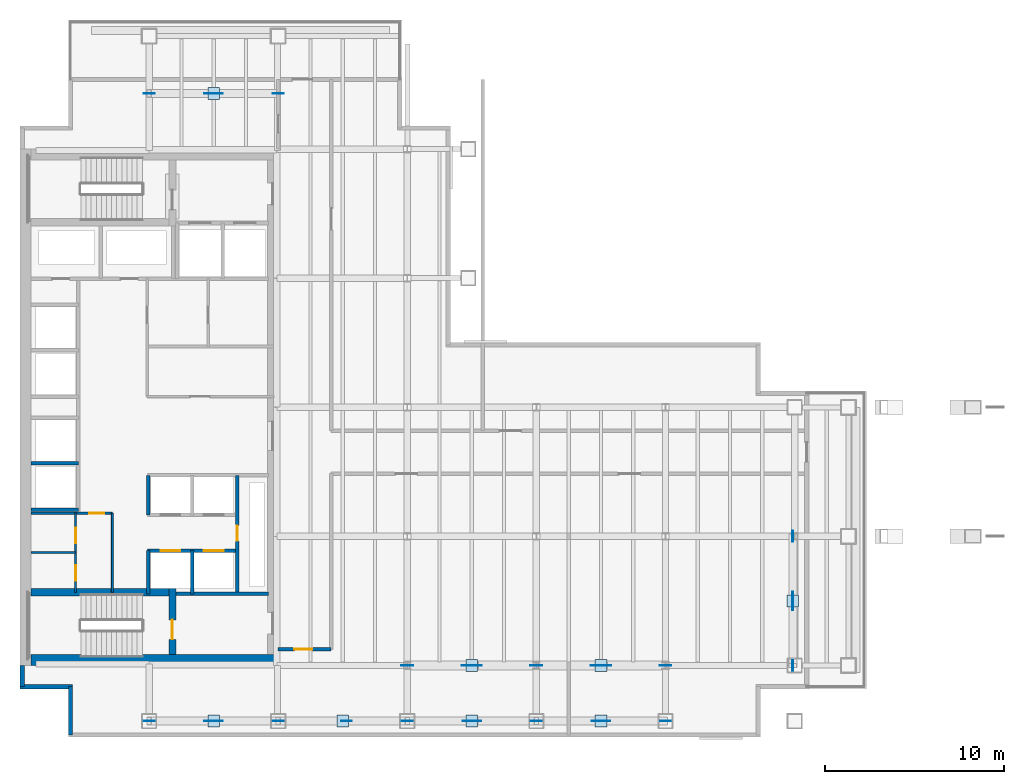
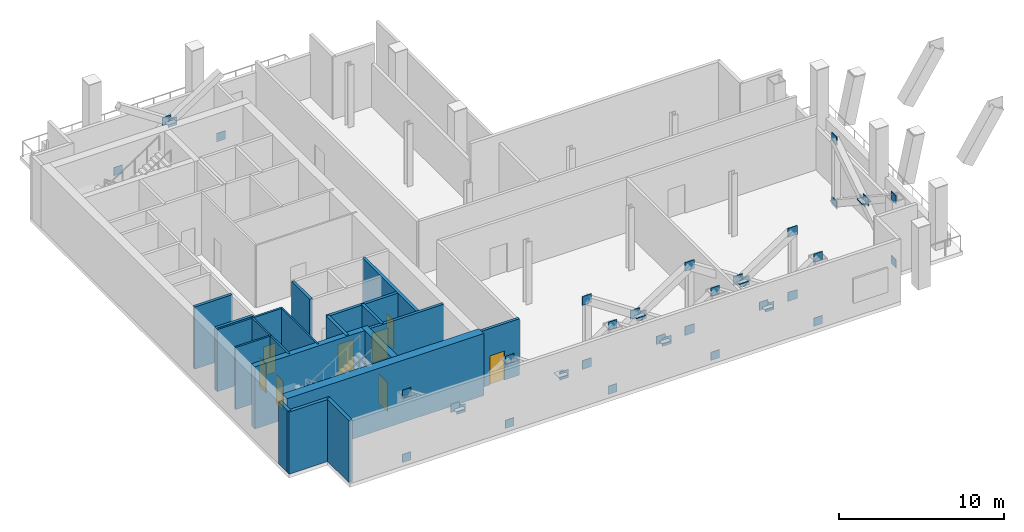
# One storey, part 4 of 8: 45 plates, 19 walls, 8 doors, 8 openings.
"""IFC4 building model written with IfcOpenShell, lengths in metres."""

from ifc_helpers import new_model, si_unit, direction, frame, frame_2d, origin, origin_2d, place, context, subcontext, project, spatial, rectangle, extrude, material, layer, layer_set, type_object, element, fill, save


model = new_model("IFC4")

# Units and contexts
model_context = context("Model", 3, precision=1e-05, world=origin(), true_north=direction((0.0, 1.0)))
body_context = subcontext(model_context, "Body", "Model", "MODEL_VIEW")
ifc_project = project(units=[si_unit("LENGTHUNIT", "METRE"), si_unit("AREAUNIT", "SQUARE_METRE"), si_unit("VOLUMEUNIT", "CUBIC_METRE"), si_unit("PLANEANGLEUNIT", "RADIAN"), si_unit("MASSUNIT", "GRAM", prefix="KILO")], contexts=[model_context])

# Site, building, storey
site_placement = place(None, origin())
site = spatial("IfcSite", under=ifc_project, at=site_placement, CompositionType="ELEMENT")
building_placement = place(site_placement, origin())
building = spatial("IfcBuilding", under=site, at=building_placement, Name="Cobrela Telecom Tower", CompositionType="ELEMENT")
storey_placement = place(building_placement, frame((0.0, 0.0, 163.800048828125)))
storey = spatial("IfcBuildingStorey", under=building, at=storey_placement, Name="L41", CompositionType="ELEMENT", Elevation=163.800048828125)

# Plates
ifc_material_1 = material(Name="Steel ASTM A572 Grade 50", Category="steel")
ifc_layer_1 = layer(ifc_material_1, 0.0419921875)
ifc_layer_set_1 = layer_set([ifc_layer_1], Name="Steel ASTM A572 Grade 50")
plate_type_1 = type_object("IfcPlateType", Name="PLT-NODE-ND6", PredefinedType="USERDEFINED", material=ifc_layer_set_1)
for number, where, z_axis, x_axis, name in (
    (1, (21.60009765625, 7.199951171875, -0.47021484375), (0.0, 0.0, 1.0), (1.0, 0.0, 0.0), "Steel node plate PLT-MBR-OUT-L41-01-A-0"),
    (2, (28.800048828125, 7.199951171875, 4.27001953125), (0.0, 0.0, 1.0), (1.0, 0.0, 0.0), "Steel node plate PLT-MBR-OUT-L41-01-A-1"),
    (3, (28.800048828125, 7.199951171875, -0.47021484375), (0.0, 0.0, 1.0), (-1.0, 0.0, 0.0), "Steel node plate PLT-MBR-OUT-L41-01-B1-0"),
    (4, (25.433837890625, 7.199951171875, 1.74609375), (0.0, 0.0, 1.0), (-1.0, 0.0, 0.0), "Steel node plate PLT-MBR-OUT-L41-01-B1-1"),
    (5, (24.966064453125, 7.199951171875, 2.05419921875), (0.0, 0.0, 1.0), (-1.0, 0.0, 0.0), "Steel node plate PLT-MBR-OUT-L41-01-B2-0"),
    (6, (21.60009765625, 7.199951171875, 4.27001953125), (0.0, 0.0, 1.0), (-1.0, 0.0, 0.0), "Steel node plate PLT-MBR-OUT-L41-01-B2-1"),
):
    element("IfcPlate", number, at=place(storey_placement, frame(where, z_axis=z_axis, x_axis=x_axis)), inside=storey, type_object=plate_type_1, Name=name, ObjectType="GUSSET PLATE", PredefinedType="USERDEFINED", context=body_context, shape_type="SweptSolid", body=[
        extrude(rectangle(XDim=0.659912109375, YDim=0.044921875, at=origin_2d()), origin(), (0.0, 0.0, 1.0), 0.659912109375),
    ])
plate_1_placement = place(storey_placement, frame((25.199951171875, 7.199951171875, 2.20751953125), z_axis=(0.0, 0.0, 1.0), x_axis=(1.0, 0.0, 0.0)))
element("IfcPlate", 7, at=plate_1_placement, inside=storey, type_object=plate_type_1, Name="L41 Outrigger Truss Brace 01 Central X-Crossing Gusset Plate", ObjectType="GUSSET PLATE", PredefinedType="USERDEFINED", context=body_context, shape_type="SweptSolid", body=[
    extrude(rectangle(XDim=0.64990234375, YDim=0.64990234375, at=origin_2d()), origin(), (0.0, 0.0, 1.0), 0.044921875),
])
for number, where, z_axis, x_axis, name in (
    (8, (36.0, 7.199951171875, 4.27001953125), (0.0, 0.0, 1.0), (1.0, 0.0, 0.0), "Steel node plate PLT-MBR-OUT-L41-02-A-1"),
    (9, (36.0, 7.199951171875, -0.47021484375), (0.0, 0.0, 1.0), (-1.0, 0.0, 0.0), "Steel node plate PLT-MBR-OUT-L41-02-B1-0"),
    (10, (32.6337890625, 7.199951171875, 1.74609375), (0.0, 0.0, 1.0), (-1.0, 0.0, 0.0), "Steel node plate PLT-MBR-OUT-L41-02-B1-1"),
    (11, (32.166015625, 7.199951171875, 2.05419921875), (0.0, 0.0, 1.0), (-1.0, 0.0, 0.0), "Steel node plate PLT-MBR-OUT-L41-02-B2-0"),
):
    element("IfcPlate", number, at=place(storey_placement, frame(where, z_axis=z_axis, x_axis=x_axis)), inside=storey, type_object=plate_type_1, Name=name, ObjectType="GUSSET PLATE", PredefinedType="USERDEFINED", context=body_context, shape_type="SweptSolid", body=[
        extrude(rectangle(XDim=0.659912109375, YDim=0.044921875, at=origin_2d()), origin(), (0.0, 0.0, 1.0), 0.659912109375),
    ])
plate_2_placement = place(storey_placement, frame((32.39990234375, 7.199951171875, 2.20751953125), z_axis=(0.0, 0.0, 1.0), x_axis=(1.0, 0.0, 0.0)))
element("IfcPlate", 12, at=plate_2_placement, inside=storey, type_object=plate_type_1, Name="L41 Outrigger Truss Brace 02 Central X-Crossing Gusset Plate", ObjectType="GUSSET PLATE", PredefinedType="USERDEFINED", context=body_context, shape_type="SweptSolid", body=[
    extrude(rectangle(XDim=0.64990234375, YDim=0.64990234375, at=origin_2d()), origin(), (0.0, 0.0, 1.0), 0.044921875),
])
ifc_layer_2 = layer(ifc_material_1, 0.0439453125)
ifc_layer_set_2 = layer_set([ifc_layer_2], Name="Steel ASTM A572 Grade 50")
plate_type_2 = type_object("IfcPlateType", Name="PLT-NODE-ND7", PredefinedType="USERDEFINED", material=ifc_layer_set_2)
for number, where, z_axis, x_axis, name in (
    (13, (7.199951171875, 4.10009765625, -0.4453125), (0.0, 0.0, 1.0), (1.0, 0.0, 0.0), "Steel node plate PLT-MBR-BELT-L41-S03-A-0"),
    (14, (14.39990234375, 4.10009765625, 4.294921875), (0.0, 0.0, 1.0), (1.0, 0.0, 0.0), "Steel node plate PLT-MBR-BELT-L41-S03-A-1"),
    (15, (14.39990234375, 4.10009765625, -0.4453125), (0.0, 0.0, 1.0), (-1.0, 0.0, 0.0), "Steel node plate PLT-MBR-BELT-L41-S03-B1-0"),
    (16, (11.010498046875, 4.10009765625, 1.7861328125), (0.0, 0.0, 1.0), (-1.0, 0.0, 0.0), "Steel node plate PLT-MBR-BELT-L41-S03-B1-1"),
    (17, (10.589599609375, 4.10009765625, 2.0634765625), (0.0, 0.0, 1.0), (-1.0, 0.0, 0.0), "Steel node plate PLT-MBR-BELT-L41-S03-B2-0"),
    (18, (7.199951171875, 4.10009765625, 4.294921875), (0.0, 0.0, 1.0), (-1.0, 0.0, 0.0), "Steel node plate PLT-MBR-BELT-L41-S03-B2-1"),
):
    element("IfcPlate", number, at=place(storey_placement, frame(where, z_axis=z_axis, x_axis=x_axis)), inside=storey, type_object=plate_type_2, Name=name, ObjectType="GUSSET PLATE", PredefinedType="USERDEFINED", context=body_context, shape_type="SweptSolid", body=[
        extrude(rectangle(XDim=0.610107421875, YDim=0.044921875, at=origin_2d()), origin(), (0.0, 0.0, 1.0), 0.610107421875),
    ])
plate_3_placement = place(storey_placement, frame((10.800048828125, 4.10009765625, 2.20751953125), z_axis=(0.0, 0.0, 1.0), x_axis=(1.0, 0.0, 0.0)))
element("IfcPlate", 19, at=plate_3_placement, inside=storey, type_object=plate_type_2, Name="L41 South Perimeter Belt Truss Brace 03 Central X-Crossing Gusset Plate", ObjectType="GUSSET PLATE", PredefinedType="USERDEFINED", context=body_context, shape_type="SweptSolid", body=[
    extrude(rectangle(XDim=0.64990234375, YDim=0.64990234375, at=origin_2d()), origin(), (0.0, 0.0, 1.0), 0.044921875),
])
for number, where, z_axis, x_axis, name in (
    (20, (21.60009765625, 4.10009765625, 4.294921875), (0.0, 0.0, 1.0), (1.0, 0.0, 0.0), "Steel node plate PLT-MBR-BELT-L41-S04-A-1"),
    (21, (21.60009765625, 4.10009765625, -0.4453125), (0.0, 0.0, 1.0), (-1.0, 0.0, 0.0), "Steel node plate PLT-MBR-BELT-L41-S04-B1-0"),
    (22, (18.21044921875, 4.10009765625, 1.7861328125), (0.0, 0.0, 1.0), (-1.0, 0.0, 0.0), "Steel node plate PLT-MBR-BELT-L41-S04-B1-1"),
):
    element("IfcPlate", number, at=place(storey_placement, frame(where, z_axis=z_axis, x_axis=x_axis)), inside=storey, type_object=plate_type_2, Name=name, ObjectType="GUSSET PLATE", PredefinedType="USERDEFINED", context=body_context, shape_type="SweptSolid", body=[
        extrude(rectangle(XDim=0.610107421875, YDim=0.044921875, at=origin_2d()), origin(), (0.0, 0.0, 1.0), 0.610107421875),
    ])
plate_4_placement = place(storey_placement, frame((18.0, 4.10009765625, 2.20751953125), z_axis=(0.0, 0.0, 1.0), x_axis=(1.0, 0.0, 0.0)))
element("IfcPlate", 23, at=plate_4_placement, inside=storey, type_object=plate_type_2, Name="L41 South Perimeter Belt Truss Brace 04 Central X-Crossing Gusset Plate", ObjectType="GUSSET PLATE", PredefinedType="USERDEFINED", context=body_context, shape_type="SweptSolid", body=[
    extrude(rectangle(XDim=0.64990234375, YDim=0.64990234375, at=origin_2d()), origin(), (0.0, 0.0, 1.0), 0.044921875),
])
for number, where, z_axis, x_axis, name in (
    (24, (28.800048828125, 4.10009765625, 4.294921875), (0.0, 0.0, 1.0), (1.0, 0.0, 0.0), "Steel node plate PLT-MBR-BELT-L41-S05-A-1"),
    (25, (28.800048828125, 4.10009765625, -0.4453125), (0.0, 0.0, 1.0), (-1.0, 0.0, 0.0), "Steel node plate PLT-MBR-BELT-L41-S05-B1-0"),
    (26, (25.410400390625, 4.10009765625, 1.7861328125), (0.0, 0.0, 1.0), (-1.0, 0.0, 0.0), "Steel node plate PLT-MBR-BELT-L41-S05-B1-1"),
    (27, (24.989501953125, 4.10009765625, 2.0634765625), (0.0, 0.0, 1.0), (-1.0, 0.0, 0.0), "Steel node plate PLT-MBR-BELT-L41-S05-B2-0"),
):
    element("IfcPlate", number, at=place(storey_placement, frame(where, z_axis=z_axis, x_axis=x_axis)), inside=storey, type_object=plate_type_2, Name=name, ObjectType="GUSSET PLATE", PredefinedType="USERDEFINED", context=body_context, shape_type="SweptSolid", body=[
        extrude(rectangle(XDim=0.610107421875, YDim=0.044921875, at=origin_2d()), origin(), (0.0, 0.0, 1.0), 0.610107421875),
    ])
plate_5_placement = place(storey_placement, frame((25.199951171875, 4.10009765625, 2.20751953125), z_axis=(0.0, 0.0, 1.0), x_axis=(1.0, 0.0, 0.0)))
element("IfcPlate", 28, at=plate_5_placement, inside=storey, type_object=plate_type_2, Name="L41 South Perimeter Belt Truss Brace 05 Central X-Crossing Gusset Plate", ObjectType="GUSSET PLATE", PredefinedType="USERDEFINED", context=body_context, shape_type="SweptSolid", body=[
    extrude(rectangle(XDim=0.64990234375, YDim=0.64990234375, at=origin_2d()), origin(), (0.0, 0.0, 1.0), 0.044921875),
])
for number, where, z_axis, x_axis, name in (
    (29, (36.0, 4.10009765625, 4.294921875), (0.0, 0.0, 1.0), (1.0, 0.0, 0.0), "Steel node plate PLT-MBR-BELT-L41-S06-A-1"),
    (30, (36.0, 4.10009765625, -0.4453125), (0.0, 0.0, 1.0), (-1.0, 0.0, 0.0), "Steel node plate PLT-MBR-BELT-L41-S06-B1-0"),
    (31, (32.610595703125, 4.10009765625, 1.7861328125), (0.0, 0.0, 1.0), (-1.0, 0.0, 0.0), "Steel node plate PLT-MBR-BELT-L41-S06-B1-1"),
    (32, (32.189453125, 4.10009765625, 2.0634765625), (0.0, 0.0, 1.0), (-1.0, 0.0, 0.0), "Steel node plate PLT-MBR-BELT-L41-S06-B2-0"),
):
    element("IfcPlate", number, at=place(storey_placement, frame(where, z_axis=z_axis, x_axis=x_axis)), inside=storey, type_object=plate_type_2, Name=name, ObjectType="GUSSET PLATE", PredefinedType="USERDEFINED", context=body_context, shape_type="SweptSolid", body=[
        extrude(rectangle(XDim=0.610107421875, YDim=0.044921875, at=origin_2d()), origin(), (0.0, 0.0, 1.0), 0.610107421875),
    ])
plate_6_placement = place(storey_placement, frame((32.39990234375, 4.10009765625, 2.20751953125), z_axis=(0.0, 0.0, 1.0), x_axis=(1.0, 0.0, 0.0)))
element("IfcPlate", 33, at=plate_6_placement, inside=storey, type_object=plate_type_2, Name="L41 South Perimeter Belt Truss Brace 06 Central X-Crossing Gusset Plate", ObjectType="GUSSET PLATE", PredefinedType="USERDEFINED", context=body_context, shape_type="SweptSolid", body=[
    extrude(rectangle(XDim=0.64990234375, YDim=0.64990234375, at=origin_2d()), origin(), (0.0, 0.0, 1.0), 0.044921875),
])
for number, where, z_axis, x_axis, name in (
    (34, (7.199951171875, 39.10009765625, -0.4453125), (0.0, 0.0, 1.0), (1.0, 0.0, 0.0), "Steel node plate PLT-MBR-BELT-L41-N07-A-0"),
    (35, (14.39990234375, 39.10009765625, -0.4453125), (0.0, 0.0, 1.0), (-1.0, 0.0, 0.0), "Steel node plate PLT-MBR-BELT-L41-N07-B1-0"),
    (36, (11.010498046875, 39.10009765625, 1.7861328125), (0.0, 0.0, 1.0), (-1.0, 0.0, 0.0), "Steel node plate PLT-MBR-BELT-L41-N07-B1-1"),
    (37, (10.589599609375, 39.10009765625, 2.0634765625), (0.0, 0.0, 1.0), (-1.0, 0.0, 0.0), "Steel node plate PLT-MBR-BELT-L41-N07-B2-0"),
):
    element("IfcPlate", number, at=place(storey_placement, frame(where, z_axis=z_axis, x_axis=x_axis)), inside=storey, type_object=plate_type_2, Name=name, ObjectType="GUSSET PLATE", PredefinedType="USERDEFINED", context=body_context, shape_type="SweptSolid", body=[
        extrude(rectangle(XDim=0.610107421875, YDim=0.044921875, at=origin_2d()), origin(), (0.0, 0.0, 1.0), 0.610107421875),
    ])
plate_7_placement = place(storey_placement, frame((10.800048828125, 39.10009765625, 2.20751953125), z_axis=(0.0, 0.0, 1.0), x_axis=(1.0, 0.0, 0.0)))
element("IfcPlate", 38, at=plate_7_placement, inside=storey, type_object=plate_type_2, Name="L41 North Perimeter Belt Truss Brace 07 Central X-Crossing Gusset Plate", ObjectType="GUSSET PLATE", PredefinedType="USERDEFINED", context=body_context, shape_type="SweptSolid", body=[
    extrude(rectangle(XDim=0.64990234375, YDim=0.64990234375, at=origin_2d()), origin(), (0.0, 0.0, 1.0), 0.044921875),
])
for number, where, z_axis, x_axis, name in (
    (39, (43.10009765625, 7.199951171875, -0.4453125), (0.0, 0.0, 1.0), (0.0, 1.0, 0.0), "Steel node plate PLT-MBR-BELT-L41-E08-A-0"),
    (40, (43.10009765625, 14.39990234375, 4.294921875), (0.0, 0.0, 1.0), (0.0, 1.0, 0.0), "Steel node plate PLT-MBR-BELT-L41-E08-A-1"),
    (41, (43.10009765625, 14.39990234375, -0.4453125), (0.0, 0.0, 1.0), (0.0, -1.0, 0.0), "Steel node plate PLT-MBR-BELT-L41-E08-B1-0"),
    (42, (43.10009765625, 11.010498046875, 1.7861328125), (0.0, 0.0, 1.0), (0.0, -1.0, 0.0), "Steel node plate PLT-MBR-BELT-L41-E08-B1-1"),
    (43, (43.10009765625, 10.589599609375, 2.0634765625), (0.0, 0.0, 1.0), (0.0, -1.0, 0.0), "Steel node plate PLT-MBR-BELT-L41-E08-B2-0"),
    (44, (43.10009765625, 7.199951171875, 4.294921875), (0.0, 0.0, 1.0), (0.0, -1.0, 0.0), "Steel node plate PLT-MBR-BELT-L41-E08-B2-1"),
):
    element("IfcPlate", number, at=place(storey_placement, frame(where, z_axis=z_axis, x_axis=x_axis)), inside=storey, type_object=plate_type_2, Name=name, ObjectType="GUSSET PLATE", PredefinedType="USERDEFINED", context=body_context, shape_type="SweptSolid", body=[
        extrude(rectangle(XDim=0.610107421875, YDim=0.044921875, at=origin_2d()), origin(), (0.0, 0.0, 1.0), 0.610107421875),
    ])
plate_8_placement = place(storey_placement, frame((43.10009765625, 10.800048828125, 2.20751953125), z_axis=(0.0, 0.0, 1.0), x_axis=(1.0, 0.0, 0.0)))
element("IfcPlate", 45, at=plate_8_placement, inside=storey, type_object=plate_type_2, Name="L41 East Perimeter Belt Truss Brace 08 Central X-Crossing Gusset Plate", ObjectType="GUSSET PLATE", PredefinedType="USERDEFINED", context=body_context, shape_type="SweptSolid", body=[
    extrude(rectangle(XDim=0.64990234375, YDim=0.64990234375, at=origin_2d()), origin(), (0.0, 0.0, 1.0), 0.044921875),
])

# Walls
ifc_material_2 = material(Name="Concrete C50/60", Category="concrete")
ifc_layer_3 = layer(ifc_material_2, 0.60009765625)
ifc_layer_set_3 = layer_set([ifc_layer_3], Name="Concrete C50/60")
wall_type_1 = type_object("IfcWallType", Name="WALL-CORE-C50-600", PredefinedType="SHEAR", material=ifc_layer_set_3)
wall_1_placement = place(storey_placement, frame((0.60009765625, 7.5, 0.0), z_axis=(0.0, 0.0, 1.0), x_axis=(1.0, 0.0, 0.0)))
element("IfcWall", 46, at=wall_1_placement, inside=storey, type_object=wall_type_1, Name="L41 South Core Shear Wall", PredefinedType="SHEAR", context=body_context, shape_type="SweptSolid", body=[
    extrude(rectangle(XDim=13.7998046875, YDim=0.60009765625, at=frame_2d((6.89990234375, 0.0))), origin(), (0.0, 0.0, 1.0), 4.599853515625),
])
ifc_material_3 = material(Name="Concrete C40/50", Category="concrete")
ifc_layer_4 = layer(ifc_material_3, 0.239990234375)
ifc_layer_set_4 = layer_set([ifc_layer_4], Name="Concrete C40/50")
wall_type_2 = type_object("IfcWallType", Name="WALL-EXT-300", PredefinedType="STANDARD", material=ifc_layer_set_4)
wall_2_placement = place(storey_placement, frame((2.820068359375, 3.320068359375, 0.0), z_axis=(0.0, 0.0, 1.0), x_axis=(0.0, 1.0, 0.0)))
element("IfcWall", 47, at=wall_2_placement, inside=storey, type_object=wall_type_2, Name="L41 Plant Acoustic Exterior Wall 01", PredefinedType="STANDARD", context=body_context, shape_type="SweptSolid", body=[
    extrude(rectangle(XDim=2.699951171875, YDim=0.239990234375, at=frame_2d((1.35009765625, 0.0))), origin(), (0.0, 0.0, 1.0), 4.599853515625),
])
wall_3_placement = place(storey_placement, frame((2.93994140625, 6.02001953125, 0.0), z_axis=(0.0, 0.0, 1.0), x_axis=(-1.0, 0.0, 0.0)))
element("IfcWall", 48, at=wall_3_placement, inside=storey, type_object=wall_type_2, Name="L41 Plant Acoustic Exterior Wall 02", PredefinedType="STANDARD", context=body_context, shape_type="SweptSolid", body=[
    extrude(rectangle(XDim=2.93994140625, YDim=0.239990234375, at=frame_2d((1.469970703125, 0.0))), origin(), (0.0, 0.0, 1.0), 4.599853515625),
])
wall_4_placement = place(storey_placement, frame((0.1201171875, 6.02001953125, 0.0), z_axis=(0.0, 0.0, 1.0), x_axis=(0.0, 1.0, 0.0)))
element("IfcWall", 49, at=wall_4_placement, inside=storey, type_object=wall_type_2, Name="L41 Plant Acoustic Exterior Wall 03", PredefinedType="STANDARD", context=body_context, shape_type="SweptSolid", body=[
    extrude(rectangle(XDim=1.179931640625, YDim=0.239990234375, at=frame_2d((0.58984375, 0.0))), origin(), (0.0, 0.0, 1.0), 4.599853515625),
])
ifc_material_4 = material(Name="Fire-Rated Gypsum Plasterboard")
ifc_layer_5 = layer(ifc_material_4, 0.110107421875)
ifc_layer_set_5 = layer_set([ifc_layer_5], Name="Fire-Rated Gypsum Plasterboard")
wall_type_3 = type_object("IfcWallType", Name="WALL-PART-110", PredefinedType="PARTITIONING", material=ifc_layer_set_5)
wall_5_placement = place(storey_placement, frame((5.14990234375, 11.280029296875, 0.0), z_axis=(0.0, 0.0, 1.0), x_axis=(0.0, 1.0, 0.0)))
element("IfcWall", 50, at=wall_5_placement, inside=storey, type_object=wall_type_3, Name="L41 Interior Partition CW-FLEX-E", PredefinedType="PARTITIONING", context=body_context, shape_type="SweptSolid", body=[
    extrude(rectangle(XDim=4.419921875, YDim=0.110107421875, at=frame_2d((2.2099609375, 0.0))), origin(), (0.0, 0.0, 1.0), 4.599853515625),
])
ifc_layer_6 = layer(ifc_material_4, 0.125)
ifc_layer_set_6 = layer_set([ifc_layer_6], Name="Fire-Rated Gypsum Plasterboard")
wall_type_4 = type_object("IfcWallType", Name="WALL-PART-125", PredefinedType="PARTITIONING", material=ifc_layer_set_6)
wall_6_placement = place(storey_placement, frame((0.60009765625, 13.5, 0.0), z_axis=(0.0, 0.0, 1.0), x_axis=(1.0, 0.0, 0.0)))
element("IfcWall", 51, at=wall_6_placement, inside=storey, type_object=wall_type_4, Name="L41 Interior Partition CW-FK3-H", PredefinedType="PARTITIONING", context=body_context, shape_type="SweptSolid", body=[
    extrude(rectangle(XDim=2.5, YDim=0.125, at=frame_2d((1.25, 0.0))), origin(), (0.0, 0.0, 1.0), 4.599853515625),
])

# Wall, openings, doors
wall_7_placement = place(storey_placement, frame((3.10009765625, 11.280029296875, 0.0), z_axis=(0.0, 0.0, 1.0), x_axis=(0.0, 1.0, 0.0)))
wall_7 = element("IfcWall", 52, at=wall_7_placement, inside=storey, type_object=wall_type_4, Name="L41 Interior Partition CW-FK3-V", PredefinedType="PARTITIONING", context=body_context, shape_type="SweptSolid", body=[
    extrude(rectangle(XDim=4.419921875, YDim=0.125, at=frame_2d((2.2099609375, 0.0))), origin(), (0.0, 0.0, 1.0), 4.599853515625),
])
opening_1_placement = place(wall_7_placement, frame((0.64990234375, 0.0, 0.0)))
opening_1 = element("IfcOpeningElement", 53, at=opening_1_placement, cuts=wall_7, Name="Opening DR-11", PredefinedType="OPENING", context=body_context, shape_type="SweptSolid", body=[
    extrude(rectangle(XDim=0.85009765625, YDim=2.14990234375, at=frame_2d((0.425048828125, 1.074951171875))), frame((0.0, 0.074462890625, 0.0), z_axis=(0.0, -1.0, 0.0), x_axis=(1.0, 0.0, 0.0)), (0.0, 0.0, 1.0), 0.14892578125),
])
opening_2_placement = place(wall_7_placement, frame((2.75, 0.0, 0.0)))
opening_2 = element("IfcOpeningElement", 54, at=opening_2_placement, cuts=wall_7, Name="Opening DR-11", PredefinedType="OPENING", context=body_context, shape_type="SweptSolid", body=[
    extrude(rectangle(XDim=0.85009765625, YDim=2.14990234375, at=frame_2d((0.425048828125, 1.074951171875))), frame((0.0, 0.074462890625, 0.0), z_axis=(0.0, -1.0, 0.0), x_axis=(1.0, 0.0, 0.0)), (0.0, 0.0, 1.0), 0.14892578125),
])
ifc_material_5 = material(Name="Solid Engineered Oak Timber", Category="wood")
door_type_1 = type_object("IfcDoorType", Name="DOOR-INT-850", OperationType="SINGLE_SWING_LEFT", PredefinedType="DOOR", material=ifc_material_5)
door_1_placement = place(opening_1_placement, origin())
door_1 = element("IfcDoor", 55, at=door_1_placement, inside=storey, type_object=door_type_1, Name="L41 Door DR-11", OperationType="SINGLE_SWING_LEFT", OverallHeight=2.14990234375, OverallWidth=0.85009765625, PredefinedType="DOOR", context=body_context, shape_type="SweptSolid", body=[
    extrude(rectangle(XDim=0.85009765625, YDim=2.14990234375, at=frame_2d((0.425048828125, 1.074951171875))), frame((0.0, 0.02490234375, 0.0), z_axis=(0.0, -1.0, 0.0), x_axis=(1.0, 0.0, 0.0)), (0.0, 0.0, 1.0), 0.050048828125),
])
fill(opening_1, door_1)
door_2_placement = place(opening_2_placement, origin())
door_2 = element("IfcDoor", 56, at=door_2_placement, inside=storey, type_object=door_type_1, Name="L41 Door DR-11", OperationType="SINGLE_SWING_RIGHT", OverallHeight=2.14990234375, OverallWidth=0.85009765625, PredefinedType="DOOR", context=body_context, shape_type="SweptSolid", body=[
    extrude(rectangle(XDim=0.85009765625, YDim=2.14990234375, at=frame_2d((0.425048828125, 1.074951171875))), frame((0.0, 0.02490234375, 0.0), z_axis=(0.0, -1.0, 0.0), x_axis=(1.0, 0.0, 0.0)), (0.0, 0.0, 1.0), 0.050048828125),
])
fill(opening_2, door_2)

# Wall, opening, door
ifc_layer_7 = layer(ifc_material_4, 0.135009765625)
ifc_layer_set_7 = layer_set([ifc_layer_7], Name="Fire-Rated Gypsum Plasterboard")
wall_type_5 = type_object("IfcWallType", Name="WALL-PART-135", PredefinedType="PARTITIONING", material=ifc_layer_set_7)
wall_8_placement = place(storey_placement, frame((0.60009765625, 15.699951171875, 0.0), z_axis=(0.0, 0.0, 1.0), x_axis=(1.0, 0.0, 0.0)))
wall_8 = element("IfcWall", 57, at=wall_8_placement, inside=storey, type_object=wall_type_5, Name="L41 Interior Partition CW-FLEX-N", PredefinedType="PARTITIONING", context=body_context, shape_type="SweptSolid", body=[
    extrude(rectangle(XDim=4.5498046875, YDim=0.135009765625, at=frame_2d((2.27490234375, 0.0))), origin(), (0.0, 0.0, 1.0), 4.599853515625),
])
opening_3_placement = place(wall_8_placement, frame((3.25, 0.0, 0.0)))
opening_3 = element("IfcOpeningElement", 58, at=opening_3_placement, cuts=wall_8, Name="Opening DR-11", PredefinedType="OPENING", context=body_context, shape_type="SweptSolid", body=[
    extrude(rectangle(XDim=0.85009765625, YDim=2.14990234375, at=frame_2d((0.425048828125, 1.074951171875))), frame((0.0, 0.07958984375, 0.0), z_axis=(0.0, -1.0, 0.0), x_axis=(1.0, 0.0, 0.0)), (0.0, 0.0, 1.0), 0.158935546875),
])
door_3_placement = place(opening_3_placement, origin())
door_3 = element("IfcDoor", 59, at=door_3_placement, inside=storey, type_object=door_type_1, Name="L41 Door DR-11", OperationType="SINGLE_SWING_LEFT", OverallHeight=2.14990234375, OverallWidth=0.85009765625, PredefinedType="DOOR", context=body_context, shape_type="SweptSolid", body=[
    extrude(rectangle(XDim=0.85009765625, YDim=2.14990234375, at=frame_2d((0.425048828125, 1.074951171875))), frame((0.0, 0.02490234375, 0.0), z_axis=(0.0, -1.0, 0.0), x_axis=(1.0, 0.0, 0.0)), (0.0, 0.0, 1.0), 0.050048828125),
])
fill(opening_3, door_3)

# Walls
ifc_layer_8 = layer(ifc_material_4, 0.199951171875)
ifc_layer_set_8 = layer_set([ifc_layer_8], Name="Fire-Rated Gypsum Plasterboard")
wall_type_6 = type_object("IfcWallType", Name="WALL-SHAFT-200", PredefinedType="PARTITIONING", material=ifc_layer_set_8)
wall_9_placement = place(storey_placement, frame((8.699951171875, 11.199951171875, 0.0), z_axis=(0.0, 0.0, 1.0), x_axis=(1.0, 0.0, 0.0)))
element("IfcWall", 60, at=wall_9_placement, inside=storey, type_object=wall_type_6, Name="L41 Shaft Enclosure CW-ST2L-N", PredefinedType="PARTITIONING", context=body_context, shape_type="SweptSolid", body=[
    extrude(rectangle(XDim=5.150146484375, YDim=0.199951171875, at=frame_2d((2.5751953125, 0.0))), origin(), (0.0, 0.0, 1.0), 4.599853515625),
])
for number, where, z_axis, x_axis, name in (
    (61, (0.60009765625, 15.8798828125, 0.0), (0.0, 0.0, 1.0), (1.0, 0.0, 0.0), "L41 Shaft Enclosure CW-PLH-D9"),
    (62, (0.60009765625, 18.47998046875, 0.0), (0.0, 0.0, 1.0), (1.0, 0.0, 0.0), "L41 Shaft Enclosure CW-PLH-D10"),
):
    element("IfcWall", number, at=place(storey_placement, frame(where, z_axis=z_axis, x_axis=x_axis)), inside=storey, type_object=wall_type_6, Name=name, PredefinedType="PARTITIONING", context=body_context, shape_type="SweptSolid", body=[
        extrude(rectangle(XDim=2.64990234375, YDim=0.199951171875, at=frame_2d((1.324951171875, 0.0))), origin(), (0.0, 0.0, 1.0), 4.599853515625),
    ])

# Wall, openings, doors
wall_10_placement = place(storey_placement, frame((7.10009765625, 13.60009765625, 0.0), z_axis=(0.0, 0.0, 1.0), x_axis=(1.0, 0.0, 0.0)))
wall_10 = element("IfcWall", 63, at=wall_10_placement, inside=storey, type_object=wall_type_6, Name="L41 Shaft Enclosure CW-PLM-S", PredefinedType="PARTITIONING", context=body_context, shape_type="SweptSolid", body=[
    extrude(rectangle(XDim=5.02001953125, YDim=0.199951171875, at=frame_2d((2.510009765625, 0.0))), origin(), (0.0, 0.0, 1.0), 4.599853515625),
])
opening_4_placement = place(wall_10_placement, frame((0.75, 0.0, 0.0)))
opening_4 = element("IfcOpeningElement", 64, at=opening_4_placement, cuts=wall_10, Name="Opening LD-1", PredefinedType="OPENING", context=body_context, shape_type="SweptSolid", body=[
    extrude(rectangle(XDim=1.10009765625, YDim=2.199951171875, at=frame_2d((0.550048828125, 1.10009765625))), frame((0.0, 0.11181640625, 0.0), z_axis=(0.0, -1.0, 0.0), x_axis=(1.0, 0.0, 0.0)), (0.0, 0.0, 1.0), 0.223876953125),
])
opening_5_placement = place(wall_10_placement, frame((3.14990234375, 0.0, 0.0)))
opening_5 = element("IfcOpeningElement", 65, at=opening_5_placement, cuts=wall_10, Name="Opening LD-1", PredefinedType="OPENING", context=body_context, shape_type="SweptSolid", body=[
    extrude(rectangle(XDim=1.10009765625, YDim=2.199951171875, at=frame_2d((0.550048828125, 1.10009765625))), frame((0.0, 0.11181640625, 0.0), z_axis=(0.0, -1.0, 0.0), x_axis=(1.0, 0.0, 0.0)), (0.0, 0.0, 1.0), 0.223876953125),
])
ifc_material_6 = material(Name="Steel ASTM A36", Category="steel")
door_type_2 = type_object("IfcDoorType", Name="DOOR-LD-PL", OperationType="SINGLE_SWING_LEFT", PredefinedType="DOOR", material=ifc_material_6)
door_4_placement = place(opening_4_placement, origin())
door_4 = element("IfcDoor", 66, at=door_4_placement, inside=storey, type_object=door_type_2, Name="L41 Lift Landing Door LD-1", OperationType="DOUBLE_DOOR_SLIDING", OverallHeight=2.199951171875, OverallWidth=1.10009765625, PredefinedType="DOOR", context=body_context, shape_type="SweptSolid", body=[
    extrude(rectangle(XDim=1.10009765625, YDim=2.199951171875, at=frame_2d((0.550048828125, 1.10009765625))), frame((0.0, 0.02490234375, 0.0), z_axis=(0.0, -1.0, 0.0), x_axis=(1.0, 0.0, 0.0)), (0.0, 0.0, 1.0), 0.050048828125),
])
fill(opening_4, door_4)
door_5_placement = place(opening_5_placement, origin())
door_5 = element("IfcDoor", 67, at=door_5_placement, inside=storey, type_object=door_type_2, Name="L41 Lift Landing Door LD-1", OperationType="DOUBLE_DOOR_SLIDING", OverallHeight=2.199951171875, OverallWidth=1.10009765625, PredefinedType="DOOR", context=body_context, shape_type="SweptSolid", body=[
    extrude(rectangle(XDim=1.10009765625, YDim=2.199951171875, at=frame_2d((0.550048828125, 1.10009765625))), frame((0.0, 0.02490234375, 0.0), z_axis=(0.0, -1.0, 0.0), x_axis=(1.0, 0.0, 0.0)), (0.0, 0.0, 1.0), 0.050048828125),
])
fill(opening_5, door_5)

# Walls
wall_11_placement = place(storey_placement, frame((7.14990234375, 15.60009765625, 0.0), z_axis=(0.0, 0.0, 1.0), x_axis=(0.0, 1.0, 0.0)))
element("IfcWall", 68, at=wall_11_placement, inside=storey, type_object=wall_type_6, Name="L41 Shaft Enclosure CW-PLM-V1", PredefinedType="PARTITIONING", context=body_context, shape_type="SweptSolid", body=[
    extrude(rectangle(XDim=2.199951171875, YDim=0.199951171875, at=frame_2d((1.10009765625, 0.0))), origin(), (0.0, 0.0, 1.0), 4.599853515625),
])
for number, where, z_axis, x_axis, name in (
    (69, (7.14990234375, 11.199951171875, 0.0), (0.0, 0.0, 1.0), (0.0, 1.0, 0.0), "L41 Shaft Enclosure CW-PLM-V1B"),
    (70, (9.60009765625, 11.199951171875, 0.0), (0.0, 0.0, 1.0), (0.0, 1.0, 0.0), "L41 Shaft Enclosure CW-PLM-V2B"),
):
    element("IfcWall", number, at=place(storey_placement, frame(where, z_axis=z_axis, x_axis=x_axis)), inside=storey, type_object=wall_type_6, Name=name, PredefinedType="PARTITIONING", context=body_context, shape_type="SweptSolid", body=[
        extrude(rectangle(XDim=2.400146484375, YDim=0.199951171875, at=frame_2d((1.2001953125, 0.0))), origin(), (0.0, 0.0, 1.0), 4.599853515625),
    ])

# Wall, opening, door
wall_12_placement = place(storey_placement, frame((12.1201171875, 11.199951171875, 0.0), z_axis=(0.0, 0.0, 1.0), x_axis=(0.0, 1.0, 0.0)))
wall_12 = element("IfcWall", 71, at=wall_12_placement, inside=storey, type_object=wall_type_6, Name="L41 Shaft Enclosure CW-PLM-V3", PredefinedType="PARTITIONING", context=body_context, shape_type="SweptSolid", body=[
    extrude(rectangle(XDim=6.60009765625, YDim=0.199951171875, at=frame_2d((3.300048828125, 0.0))), origin(), (0.0, 0.0, 1.0), 4.599853515625),
])
opening_6_placement = place(wall_12_placement, frame((2.949951171875, 0.0, 0.0)))
opening_6 = element("IfcOpeningElement", 72, at=opening_6_placement, cuts=wall_12, Name="Opening DR-11", PredefinedType="OPENING", context=body_context, shape_type="SweptSolid", body=[
    extrude(rectangle(XDim=0.85009765625, YDim=2.14990234375, at=frame_2d((0.425048828125, 1.074951171875))), frame((0.0, 0.11181640625, 0.0), z_axis=(0.0, -1.0, 0.0), x_axis=(1.0, 0.0, 0.0)), (0.0, 0.0, 1.0), 0.223876953125),
])
door_6_placement = place(opening_6_placement, origin())
door_6 = element("IfcDoor", 73, at=door_6_placement, inside=storey, type_object=door_type_1, Name="L41 Door DR-11", OperationType="SINGLE_SWING_RIGHT", OverallHeight=2.14990234375, OverallWidth=0.85009765625, PredefinedType="DOOR", context=body_context, shape_type="SweptSolid", body=[
    extrude(rectangle(XDim=0.85009765625, YDim=2.14990234375, at=frame_2d((0.425048828125, 1.074951171875))), frame((0.0, 0.02490234375, 0.0), z_axis=(0.0, -1.0, 0.0), x_axis=(1.0, 0.0, 0.0)), (0.0, 0.0, 1.0), 0.050048828125),
])
fill(opening_6, door_6)

wall_13_placement = place(storey_placement, frame((14.39990234375, 8.10009765625, 0.0), z_axis=(0.0, 0.0, 1.0), x_axis=(1.0, 0.0, 0.0)))
wall_13 = element("IfcWall", 74, at=wall_13_placement, inside=storey, type_object=wall_type_6, Name="L41 Shaft Enclosure W-MP-S0", PredefinedType="PARTITIONING", context=body_context, shape_type="SweptSolid", body=[
    extrude(rectangle(XDim=2.9501953125, YDim=0.199951171875, at=frame_2d((1.47509765625, 0.0))), origin(), (0.0, 0.0, 1.0), 4.16796875),
])
opening_7_placement = place(wall_13_placement, frame((0.89990234375, 0.0, 0.0)))
opening_7 = element("IfcOpeningElement", 75, at=opening_7_placement, cuts=wall_13, Name="Opening DR-15", PredefinedType="OPENING", context=body_context, shape_type="SweptSolid", body=[
    extrude(rectangle(XDim=1.0, YDim=2.14990234375, at=frame_2d((0.5, 1.074951171875))), frame((0.0, 0.11181640625, 0.0), z_axis=(0.0, -1.0, 0.0), x_axis=(1.0, 0.0, 0.0)), (0.0, 0.0, 1.0), 0.223876953125),
])
door_type_3 = type_object("IfcDoorType", Name="DOOR-FD60-1000", OperationType="SINGLE_SWING_LEFT", PredefinedType="DOOR", material=ifc_material_6)
door_7_placement = place(opening_7_placement, origin())
door_7 = element("IfcDoor", 76, at=door_7_placement, inside=storey, type_object=door_type_3, Name="L41 Door DR-15", OperationType="SINGLE_SWING_LEFT", OverallHeight=2.14990234375, OverallWidth=1.0, PredefinedType="DOOR", context=body_context, shape_type="SweptSolid", body=[
    extrude(rectangle(XDim=1.0, YDim=2.14990234375, at=frame_2d((0.5, 1.074951171875))), frame((0.0, 0.02490234375, 0.0), z_axis=(0.0, -1.0, 0.0), x_axis=(1.0, 0.0, 0.0)), (0.0, 0.0, 1.0), 0.050048828125),
])
fill(opening_7, door_7)

# Wall
ifc_layer_9 = layer(ifc_material_3, 0.39990234375)
ifc_layer_set_9 = layer_set([ifc_layer_9], Name="Concrete C40/50")
wall_type_7 = type_object("IfcWallType", Name="WALL-SHAFT-C40-400", PredefinedType="SHEAR", material=ifc_layer_set_9)
wall_14_placement = place(storey_placement, frame((0.60009765625, 11.280029296875, 0.0), z_axis=(0.0, 0.0, 1.0), x_axis=(1.0, 0.0, 0.0)))
element("IfcWall", 77, at=wall_14_placement, inside=storey, type_object=wall_type_7, Name="L41 South Stair Shear Wall", PredefinedType="SHEAR", context=body_context, shape_type="SweptSolid", body=[
    extrude(rectangle(XDim=7.699951171875, YDim=0.39990234375, at=frame_2d((3.85009765625, 0.0))), origin(), (0.0, 0.0, 1.0), 4.599853515625),
])

# Wall, opening, door
wall_15_placement = place(storey_placement, frame((8.5, 7.800048828125, 0.0), z_axis=(0.0, 0.0, 1.0), x_axis=(0.0, 1.0, 0.0)))
wall_15 = element("IfcWall", 78, at=wall_15_placement, inside=storey, type_object=wall_type_7, Name="L41 South Stair Lobby Shear Wall", PredefinedType="SHEAR", context=body_context, shape_type="SweptSolid", body=[
    extrude(rectangle(XDim=3.679931640625, YDim=0.39990234375, at=frame_2d((1.83984375, 0.0))), origin(), (0.0, 0.0, 1.0), 4.599853515625),
])
opening_8_placement = place(wall_15_placement, frame((0.85009765625, 0.0, 0.0)))
opening_8 = element("IfcOpeningElement", 79, at=opening_8_placement, cuts=wall_15, Name="Opening FD-90", PredefinedType="OPENING", context=body_context, shape_type="SweptSolid", body=[
    extrude(rectangle(XDim=1.10009765625, YDim=2.14990234375, at=frame_2d((0.550048828125, 1.074951171875))), frame((0.0, 0.2119140625, 0.0), z_axis=(0.0, -1.0, 0.0), x_axis=(1.0, 0.0, 0.0)), (0.0, 0.0, 1.0), 0.423828125),
])
door_type_4 = type_object("IfcDoorType", Name="DOOR-FD90-1100", OperationType="SINGLE_SWING_LEFT", PredefinedType="DOOR", material=ifc_material_6)
door_8_placement = place(opening_8_placement, origin())
door_8 = element("IfcDoor", 80, at=door_8_placement, inside=storey, type_object=door_type_4, Name="L41 Door FD-90", OperationType="SINGLE_SWING_LEFT", OverallHeight=2.14990234375, OverallWidth=1.10009765625, PredefinedType="DOOR", context=body_context, shape_type="SweptSolid", body=[
    extrude(rectangle(XDim=1.10009765625, YDim=2.14990234375, at=frame_2d((0.550048828125, 1.074951171875))), frame((0.0, 0.02490234375, 0.0), z_axis=(0.0, -1.0, 0.0), x_axis=(1.0, 0.0, 0.0)), (0.0, 0.0, 1.0), 0.050048828125),
])
fill(opening_8, door_8)

save(model, "model.ifc")
